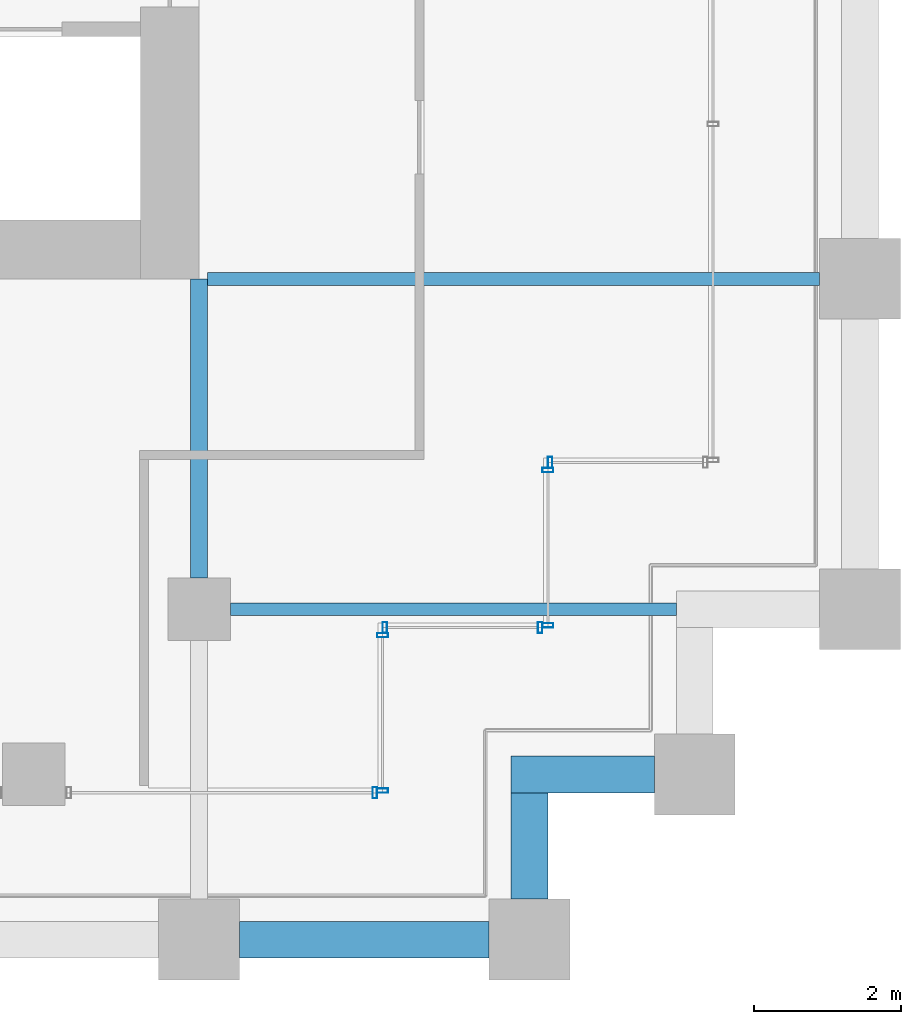
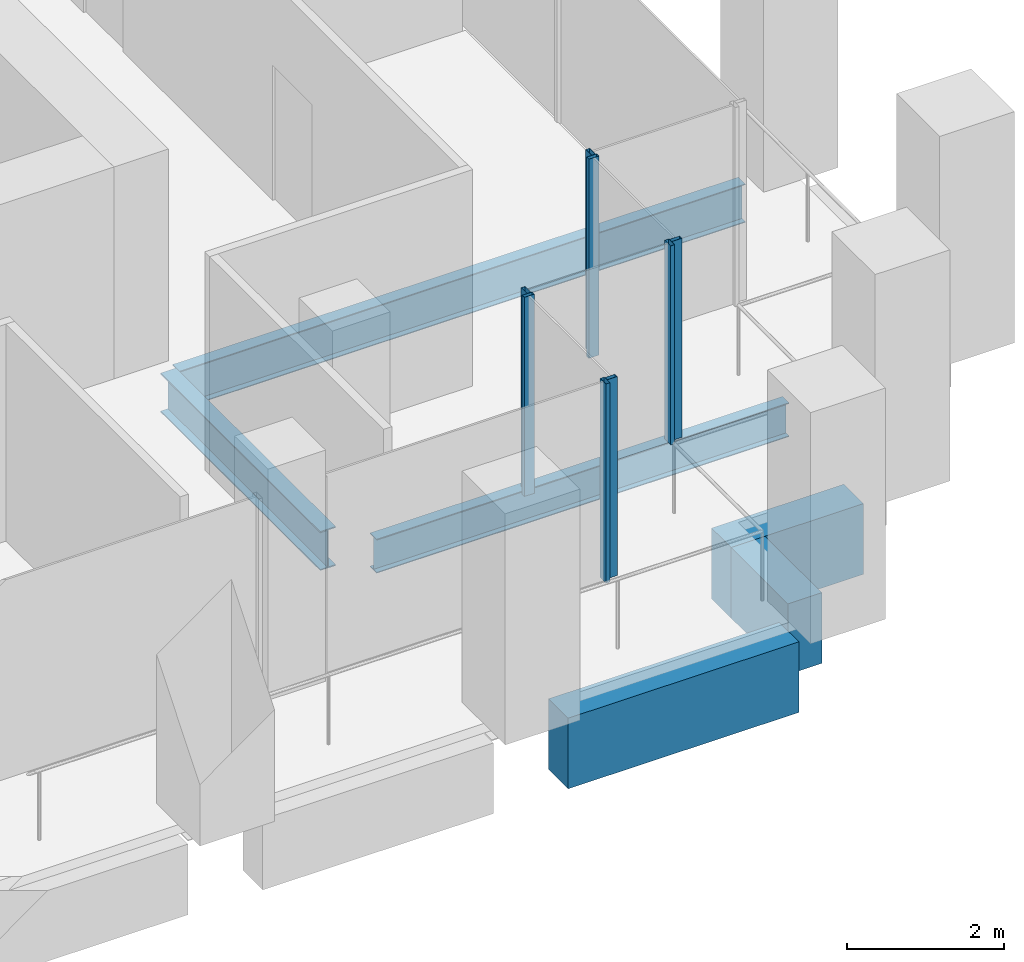
# One storey, part 38 of 56: 8 members, 6 beams, 5 elements without a shape of their own.
"""IFC4 building model written with IfcOpenShell, lengths in metres."""

from ifc_helpers import new_model, si_unit, direction, frame, origin, origin_2d, place, context, subcontext, project, spatial, rectangle, hollow_rectangle, i_section, extrude, material, material_profile, profile_set, type_object, element, aggregate, save


model = new_model("IFC4")

# Units and contexts
model_context = context("Model", 3, precision=1e-05, world=origin(), true_north=direction((0.0, 1.0)))
body_context = subcontext(model_context, "Body", "Model", "MODEL_VIEW")
ifc_project = project(units=[si_unit("LENGTHUNIT", "METRE"), si_unit("AREAUNIT", "SQUARE_METRE"), si_unit("VOLUMEUNIT", "CUBIC_METRE"), si_unit("PLANEANGLEUNIT", "RADIAN"), si_unit("MASSUNIT", "GRAM", prefix="KILO")], contexts=[model_context])

# Site, building, storey
site_placement = place(None, origin())
site = spatial("IfcSite", under=ifc_project, at=site_placement, CompositionType="ELEMENT")
building_placement = place(site_placement, origin())
building = spatial("IfcBuilding", under=site, at=building_placement, Name="Altepetl Exchange Towers", CompositionType="ELEMENT")
storey_placement = place(building_placement, frame((0.0, 0.0, 83.39990234375)))
storey = spatial("IfcBuildingStorey", under=building, at=storey_placement, Name="L20", CompositionType="ELEMENT", Elevation=83.39990234375)

# Beams
ifc_material_1 = material(Name="Steel S355", Category="steel")
ifc_material_profile_1 = material_profile(ifc_material_1, i_section(OverallWidth=0.166015625, OverallDepth=0.529052734375, WebThickness=0.009765625, FlangeThickness=0.013671875, at=origin_2d()), Name="W21X50")
ifc_profile_set_1 = profile_set([ifc_material_profile_1], Name="Steel S355")
beam_type_1 = type_object("IfcBeamType", Name="Floor beam W21X50", PredefinedType="BEAM", material=ifc_profile_set_1)
beam_1_placement = place(storey_placement, frame((117.425048828125, 31.5, -0.414306640625), z_axis=(1.0, 0.0, 0.0), x_axis=(0.0, 1.0, 0.0)))
element("IfcBeam", 1, at=beam_1_placement, inside=storey, type_object=beam_type_1, Name="bm:B:L20:004", PredefinedType="BEAM", context=body_context, shape_type="SweptSolid", body=[
    extrude(i_section(OverallWidth=0.166015625, OverallDepth=0.529052734375, WebThickness=0.009765625, FlangeThickness=0.013671875, at=origin_2d()), origin(), (0.0, 0.0, 1.0), 6.074951171875),
])
ifc_material_profile_2 = material_profile(ifc_material_1, i_section(OverallWidth=0.177978515625, OverallDepth=0.59912109375, WebThickness=0.010009765625, FlangeThickness=0.0126953125, at=origin_2d()), Name="W24X55")
ifc_profile_set_2 = profile_set([ifc_material_profile_2], Name="Steel S355")
beam_type_2 = type_object("IfcBeamType", Name="Floor beam W24X55", PredefinedType="BEAM", material=ifc_profile_set_2)
beam_2_placement = place(storey_placement, frame((117.114013671875, 36.0, -0.449462890625), z_axis=(1.0, 0.0, 0.0), x_axis=(0.0, 1.0, 0.0)))
element("IfcBeam", 2, at=beam_2_placement, inside=storey, type_object=beam_type_2, Name="bm:B:L20:005", PredefinedType="BEAM", context=body_context, shape_type="SweptSolid", body=[
    extrude(i_section(OverallWidth=0.177978515625, OverallDepth=0.59912109375, WebThickness=0.010009765625, FlangeThickness=0.0126953125, at=origin_2d()), origin(), (0.0, 0.0, 1.0), 8.3359375),
])
ifc_material_profile_3 = material_profile(ifc_material_1, i_section(OverallWidth=0.22802734375, OverallDepth=0.60791015625, WebThickness=0.01123046875, FlangeThickness=0.017333984375, at=origin_2d()), Name="W24X76")
ifc_profile_set_3 = profile_set([ifc_material_profile_3], Name="Steel S355")
beam_type_3 = type_object("IfcBeamType", Name="Girder W24X76", PredefinedType="BEAM", material=ifc_profile_set_3)
beam_3_placement = place(storey_placement, frame((117.0, 36.0, -0.453857421875), z_axis=(0.0, -1.0, 0.0), x_axis=(1.0, 0.0, 0.0)))
element("IfcBeam", 3, at=beam_3_placement, inside=storey, type_object=beam_type_3, Name="gd:B:L20:004", PredefinedType="BEAM", context=body_context, shape_type="SweptSolid", body=[
    extrude(i_section(OverallWidth=0.22802734375, OverallDepth=0.60791015625, WebThickness=0.01123046875, FlangeThickness=0.017333984375, at=origin_2d()), origin(), (0.0, 0.0, 1.0), 4.074951171875),
])

# Curtain wall, member
ifc_material_2 = material(Name="Aluminium 6063-T6 glazing", Category="aluminium")
curtain_wall_type = type_object("IfcCurtainWallType", Name="Loggia glazing system", PredefinedType="NOTDEFINED", material=ifc_material_2)
curtain_wall_1_placement = place(storey_placement, origin())
curtain_wall_1 = element("IfcCurtainWall", 4, at=curtain_wall_1_placement, inside=storey, type_object=curtain_wall_type, Name="CW1 run", PredefinedType="NOTDEFINED")
ifc_material_3 = material(Name="Aluminium 6063-T6", Category="aluminium")
ifc_material_profile_4 = material_profile(ifc_material_3, hollow_rectangle(XDim=0.06005859375, YDim=0.14990234375, WallThickness=0.0029296875, at=origin_2d()), Name="Mullion 60x150 aluminium")
ifc_profile_set_4 = profile_set([ifc_material_profile_4], Name="Aluminium 6063-T6")
member_type = type_object("IfcMemberType", Name="Mullion 60x150 aluminium", PredefinedType="MULLION", material=ifc_profile_set_4)
member_1_placement = place(storey_placement, frame((119.39501953125, 29.0, 0.0)))
member_1 = element("IfcMember", 5, at=member_1_placement, type_object=member_type, Name="MU1 mullion", PredefinedType="MULLION", context=body_context, shape_type="SweptSolid", body=[
    extrude(hollow_rectangle(XDim=0.06005859375, YDim=0.14990234375, WallThickness=0.0029296875, at=origin_2d()), origin(), (0.0, 0.0, 1.0), 3.10009765625),
])
aggregate(curtain_wall_1, [member_1])

# Curtain wall, members
curtain_wall_2_placement = place(storey_placement, origin())
curtain_wall_2 = element("IfcCurtainWall", 6, at=curtain_wall_2_placement, inside=storey, type_object=curtain_wall_type, Name="CW1 run", PredefinedType="NOTDEFINED")
member_2_placement = place(storey_placement, frame((119.5, 29.030029296875, 0.0), z_axis=(0.0, 0.0, 1.0), x_axis=(0.0, 1.0, 0.0)))
member_2 = element("IfcMember", 7, at=member_2_placement, type_object=member_type, Name="MU1 mullion", PredefinedType="MULLION", context=body_context, shape_type="SweptSolid", body=[
    extrude(hollow_rectangle(XDim=0.06005859375, YDim=0.14990234375, WallThickness=0.0029296875, at=origin_2d()), origin(), (0.0, 0.0, 1.0), 3.10009765625),
])
member_3_placement = place(storey_placement, frame((119.5, 31.14501953125, 0.0), z_axis=(0.0, 0.0, 1.0), x_axis=(0.0, 1.0, 0.0)))
member_3 = element("IfcMember", 8, at=member_3_placement, type_object=member_type, Name="MU1 mullion", PredefinedType="MULLION", context=body_context, shape_type="SweptSolid", body=[
    extrude(hollow_rectangle(XDim=0.06005859375, YDim=0.14990234375, WallThickness=0.0029296875, at=origin_2d()), origin(), (0.0, 0.0, 1.0), 3.10009765625),
])
aggregate(curtain_wall_2, [member_2, member_3])

curtain_wall_3_placement = place(storey_placement, origin())
curtain_wall_3 = element("IfcCurtainWall", 9, at=curtain_wall_3_placement, inside=storey, type_object=curtain_wall_type, Name="CW1 run", PredefinedType="NOTDEFINED")
member_4_placement = place(storey_placement, frame((119.530029296875, 31.25, 0.0)))
member_4 = element("IfcMember", 10, at=member_4_placement, type_object=member_type, Name="MU1 mullion", PredefinedType="MULLION", context=body_context, shape_type="SweptSolid", body=[
    extrude(hollow_rectangle(XDim=0.06005859375, YDim=0.14990234375, WallThickness=0.0029296875, at=origin_2d()), origin(), (0.0, 0.0, 1.0), 3.10009765625),
])
member_5_placement = place(storey_placement, frame((121.64501953125, 31.25, 0.0)))
member_5 = element("IfcMember", 11, at=member_5_placement, type_object=member_type, Name="MU1 mullion", PredefinedType="MULLION", context=body_context, shape_type="SweptSolid", body=[
    extrude(hollow_rectangle(XDim=0.06005859375, YDim=0.14990234375, WallThickness=0.0029296875, at=origin_2d()), origin(), (0.0, 0.0, 1.0), 3.10009765625),
])
aggregate(curtain_wall_3, [member_4, member_5])

curtain_wall_4_placement = place(storey_placement, origin())
curtain_wall_4 = element("IfcCurtainWall", 12, at=curtain_wall_4_placement, inside=storey, type_object=curtain_wall_type, Name="CW1 run", PredefinedType="NOTDEFINED")
member_6_placement = place(storey_placement, frame((121.75, 31.280029296875, 0.0), z_axis=(0.0, 0.0, 1.0), x_axis=(0.0, 1.0, 0.0)))
member_6 = element("IfcMember", 13, at=member_6_placement, type_object=member_type, Name="MU1 mullion", PredefinedType="MULLION", context=body_context, shape_type="SweptSolid", body=[
    extrude(hollow_rectangle(XDim=0.06005859375, YDim=0.14990234375, WallThickness=0.0029296875, at=origin_2d()), origin(), (0.0, 0.0, 1.0), 3.10009765625),
])
member_7_placement = place(storey_placement, frame((121.75, 33.39501953125, 0.0), z_axis=(0.0, 0.0, 1.0), x_axis=(0.0, 1.0, 0.0)))
member_7 = element("IfcMember", 14, at=member_7_placement, type_object=member_type, Name="MU1 mullion", PredefinedType="MULLION", context=body_context, shape_type="SweptSolid", body=[
    extrude(hollow_rectangle(XDim=0.06005859375, YDim=0.14990234375, WallThickness=0.0029296875, at=origin_2d()), origin(), (0.0, 0.0, 1.0), 3.10009765625),
])
aggregate(curtain_wall_4, [member_6, member_7])

# Curtain wall, member
curtain_wall_5_placement = place(storey_placement, origin())
curtain_wall_5 = element("IfcCurtainWall", 15, at=curtain_wall_5_placement, inside=storey, type_object=curtain_wall_type, Name="CW1 run", PredefinedType="NOTDEFINED")
member_8_placement = place(storey_placement, frame((121.780029296875, 33.5, 0.0)))
member_8 = element("IfcMember", 16, at=member_8_placement, type_object=member_type, Name="MU1 mullion", PredefinedType="MULLION", context=body_context, shape_type="SweptSolid", body=[
    extrude(hollow_rectangle(XDim=0.06005859375, YDim=0.14990234375, WallThickness=0.0029296875, at=origin_2d()), origin(), (0.0, 0.0, 1.0), 3.10009765625),
])
aggregate(curtain_wall_5, [member_8])

# Beams
ifc_material_4 = material(Name="Concrete C50/60 precast with cantera blanca facing", Category="concrete")
ifc_material_profile_5 = material_profile(ifc_material_4, rectangle(XDim=0.5, YDim=1.10009765625, at=origin_2d()), Name="500 x 1100")
ifc_profile_set_5 = profile_set([ifc_material_profile_5], Name="Concrete C50/60 precast with cantera blanca facing")
beam_type_4 = type_object("IfcBeamType", Name="Spandrel beam 500x1100 cantera blanca", PredefinedType="SPANDREL", material=ifc_profile_set_5)
beam_4_placement = place(storey_placement, frame((117.550048828125, 27.0, -0.699951171875), z_axis=(1.0, 0.0, 0.0), x_axis=(0.0, 1.0, 0.0)))
element("IfcBeam", 17, at=beam_4_placement, inside=storey, type_object=beam_type_4, Name="sp:B:L20:004", PredefinedType="SPANDREL", context=body_context, shape_type="SweptSolid", body=[
    extrude(rectangle(XDim=0.5, YDim=1.10009765625, at=origin_2d()), origin(), (0.0, 0.0, 1.0), 3.39990234375),
])
beam_5_placement = place(storey_placement, frame((121.5, 27.550048828125, -0.699951171875), z_axis=(0.0, 1.0, 0.0), x_axis=(-1.0, 0.0, 0.0)))
element("IfcBeam", 18, at=beam_5_placement, inside=storey, type_object=beam_type_4, Name="sp:B:L20:005", PredefinedType="SPANDREL", context=body_context, shape_type="SweptSolid", body=[
    extrude(rectangle(XDim=0.5, YDim=1.10009765625, at=origin_2d()), origin(), (0.0, 0.0, 1.0), 1.449951171875),
])
beam_6_placement = place(storey_placement, frame((121.25, 29.25, -0.699951171875), z_axis=(1.0, 0.0, 0.0), x_axis=(0.0, 1.0, 0.0)))
element("IfcBeam", 19, at=beam_6_placement, inside=storey, type_object=beam_type_4, Name="sp:B:L20:006", PredefinedType="SPANDREL", context=body_context, shape_type="SweptSolid", body=[
    extrude(rectangle(XDim=0.5, YDim=1.10009765625, at=origin_2d()), origin(), (0.0, 0.0, 1.0), 1.949951171875),
])

save(model, "model.ifc")
